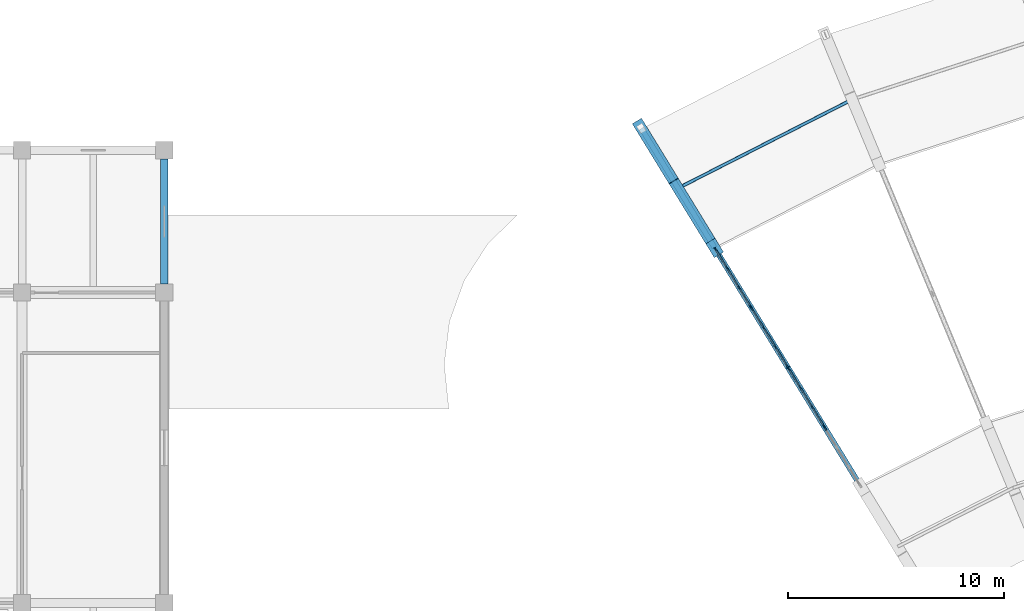
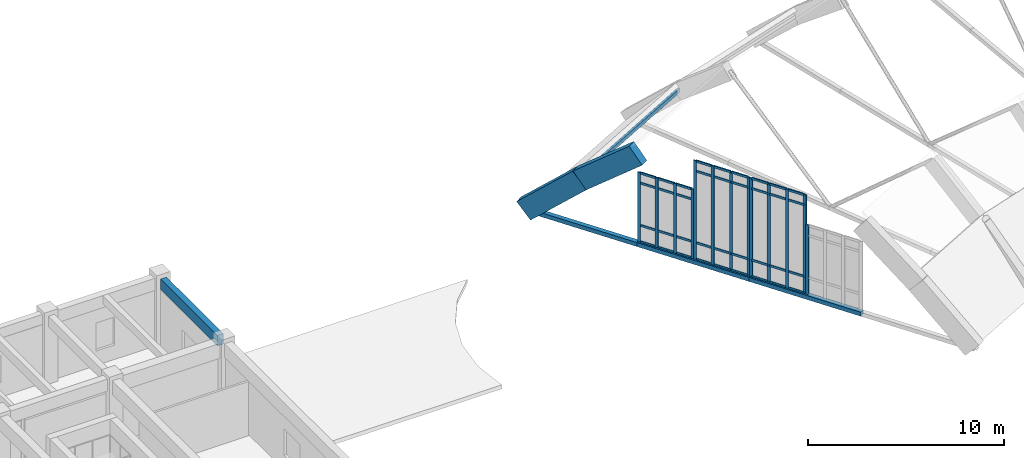
# One storey, part 8 of 34: 50 members, 6 beams, 4 elements without a shape of their own.
"""IFC4 building model written with IfcOpenShell, lengths in metres."""

from ifc_helpers import new_model, si_unit, direction, frame, origin, origin_2d, place, context, subcontext, project, spatial, rectangle, hollow_rectangle, extrude, material, layer, layer_set, material_profile, profile_set, type_object, element, aggregate, save


model = new_model("IFC4")

# Units and contexts
model_context = context("Model", 3, precision=1e-05, world=origin(), true_north=direction((0.0, 1.0)))
body_context = subcontext(model_context, "Body", "Model", "MODEL_VIEW")
ifc_project = project(units=[si_unit("LENGTHUNIT", "METRE"), si_unit("AREAUNIT", "SQUARE_METRE"), si_unit("VOLUMEUNIT", "CUBIC_METRE"), si_unit("PLANEANGLEUNIT", "RADIAN"), si_unit("MASSUNIT", "GRAM", prefix="KILO")], contexts=[model_context])

# Site, building, storey
site_placement = place(None, origin())
site = spatial("IfcSite", under=ifc_project, at=site_placement, CompositionType="ELEMENT")
building_placement = place(site_placement, origin())
building = spatial("IfcBuilding", under=site, at=building_placement, Name="Miralva Faculty of Natural Sciences", CompositionType="ELEMENT")
storey_placement = place(building_placement, frame((0.0, 0.0, 24.0)))
storey = spatial("IfcBuildingStorey", under=building, at=storey_placement, Name="L05", CompositionType="ELEMENT", Elevation=24.0)

# Beams
ifc_material_1 = material(Name="Concrete C40/50", Category="concrete")
ifc_material_profile_1 = material_profile(ifc_material_1, rectangle(XDim=0.35009765625, YDim=0.64990234375, at=origin_2d()), Name="RC 350x650")
ifc_profile_set_1 = profile_set([ifc_material_profile_1], Name="Concrete C40/50")
beam_type_1 = type_object("IfcBeamType", Name="BM-B05", PredefinedType="BEAM", material=ifc_profile_set_1)
beam_1_placement = place(storey_placement, frame((36.0, 23.800048828125, 3.905029296875), z_axis=(0.0, 1.0, 0.0), x_axis=(-1.0, 0.0, 0.0)))
element("IfcBeam", 1, at=beam_1_placement, inside=storey, type_object=beam_type_1, Name="Girder NS L05-63", PredefinedType="BEAM", context=body_context, shape_type="SweptSolid", body=[
    extrude(rectangle(XDim=0.35009765625, YDim=0.64990234375, at=origin_2d()), origin(), (0.0, 0.0, 1.0), 5.800048828125),
])
ifc_material_profile_2 = material_profile(ifc_material_1, rectangle(XDim=0.5, YDim=1.199951171875, at=origin_2d()), Name="RC 500x1200")
ifc_profile_set_2 = profile_set([ifc_material_profile_2], Name="Concrete C40/50")
beam_type_2 = type_object("IfcBeamType", Name="BM-EB01", PredefinedType="BEAM", material=ifc_profile_set_2)
beam_2_placement = place(storey_placement, frame((61.523681640625, 25.468994140625, 5.56005859375), z_axis=(-0.406454163532, 0.663300468166, -0.628353007376), x_axis=(-0.852649834543, -0.522482784074, 0.0)))
element("IfcBeam", 2, at=beam_2_placement, inside=storey, type_object=beam_type_2, Name="Visible RC shell arch edge beam EB-01 chord 7", PredefinedType="BEAM", context=body_context, shape_type="SweptSolid", body=[
    extrude(rectangle(XDim=0.5, YDim=1.199951171875, at=origin_2d()), origin(), (0.0, 0.0, 1.0), 4.177490234375),
])
beam_3_placement = place(storey_placement, frame((59.82568359375, 28.239990234375, 2.93505859375), z_axis=(-0.385383255766, 0.628914443271, -0.675238009313), x_axis=(-0.852649834543, -0.522482784074, 0.0)))
element("IfcBeam", 3, at=beam_3_placement, inside=storey, type_object=beam_type_2, Name="Visible RC shell arch edge beam EB-01 chord 8", PredefinedType="BEAM", context=body_context, shape_type="SweptSolid", body=[
    extrude(rectangle(XDim=0.5, YDim=1.199951171875, at=origin_2d()), origin(), (0.0, 0.0, 1.0), 4.406005859375),
])
ifc_material_2 = material(Name="Steel S355", Category="steel")
ifc_material_profile_3 = material_profile(ifc_material_2, hollow_rectangle(XDim=0.25, YDim=0.25, WallThickness=0.011962890625, at=origin_2d()), Name="HSS 250x250x12")
ifc_profile_set_3 = profile_set([ifc_material_profile_3], Name="Steel S355")
beam_type_3 = type_object("IfcBeamType", Name="BM-EBTIE", PredefinedType="BEAM", material=ifc_profile_set_3)
beam_4_placement = place(storey_placement, frame((68.31640625, 14.384521484375, -0.0400390625), z_axis=(-0.522493357731, 0.852643355176, 0.0), x_axis=(-0.852643355176, -0.522493357731, 0.0)))
element("IfcBeam", 4, at=beam_4_placement, inside=storey, type_object=beam_type_3, Name="Shell arch tie chord 01-2", PredefinedType="BEAM", context=body_context, shape_type="SweptSolid", body=[
    extrude(hollow_rectangle(XDim=0.25, YDim=0.25, WallThickness=0.011962890625, at=origin_2d()), origin(), (0.0, 0.0, 1.0), 6.5),
])
beam_5_placement = place(storey_placement, frame((64.920166015625, 19.9267578125, -0.0400390625), z_axis=(-0.522520662875, 0.852626622191, 0.0), x_axis=(-0.852626622191, -0.522520662875, 0.0)))
element("IfcBeam", 5, at=beam_5_placement, inside=storey, type_object=beam_type_3, Name="Shell arch tie chord 01-3", PredefinedType="BEAM", context=body_context, shape_type="SweptSolid", body=[
    extrude(hollow_rectangle(XDim=0.25, YDim=0.25, WallThickness=0.011962890625, at=origin_2d()), origin(), (0.0, 0.0, 1.0), 6.500244140625),
])
beam_6_placement = place(storey_placement, frame((61.523681640625, 25.468994140625, -0.0400390625), z_axis=(-0.522482784074, 0.852649834543, 0.0), x_axis=(-0.852649834543, -0.522482784074, 0.0)))
element("IfcBeam", 6, at=beam_6_placement, inside=storey, type_object=beam_type_3, Name="Shell arch tie chord 01-4", PredefinedType="BEAM", context=body_context, shape_type="SweptSolid", body=[
    extrude(hollow_rectangle(XDim=0.25, YDim=0.25, WallThickness=0.011962890625, at=origin_2d()), origin(), (0.0, 0.0, 1.0), 6.499755859375),
])

# Curtain wall, member
ifc_material_3 = material(Name="Laminated solar-control glass", Category="glass")
ifc_layer = layer(ifc_material_3, 0.179931640625, Name="CW-ARC-L03")
ifc_layer_set = layer_set([ifc_layer], Name="Laminated solar-control glass")
curtain_wall_type = type_object("IfcCurtainWallType", Name="CW-ARC-L03", PredefinedType="USERDEFINED", material=ifc_layer_set)
curtain_wall_1_placement = place(storey_placement, origin())
curtain_wall_1 = element("IfcCurtainWall", 7, at=curtain_wall_1_placement, inside=storey, type_object=curtain_wall_type, Name="Shell arch W clerestory curtain wall K2", ObjectType="UNITISED CURTAIN WALL", PredefinedType="USERDEFINED")
ifc_material_4 = material(Name="Anodised aluminium", Category="aluminium")
ifc_material_profile_4 = material_profile(ifc_material_4, rectangle(XDim=0.06494140625, YDim=0.179931640625, at=origin_2d()), Name="MULLION 65x180")
ifc_profile_set_4 = profile_set([ifc_material_profile_4], Name="Anodised aluminium")
member_type_1 = type_object("IfcMemberType", Name="CW-M01", PredefinedType="MULLION", material=ifc_profile_set_4)
member_1_placement = place(storey_placement, frame((66.656005859375, 17.09375, 0.090087890625), z_axis=(0.0, 0.0, 1.0), x_axis=(0.852637068257, 0.522503617054, 0.0)))
member_1 = element("IfcMember", 8, at=member_1_placement, type_object=member_type_1, Name="CW-03 mullion 1", PredefinedType="MULLION", context=body_context, shape_type="SweptSolid", body=[
    extrude(rectangle(XDim=0.06494140625, YDim=0.179931640625, at=origin_2d()), origin(), (0.0, 0.0, 1.0), 4.32958984375),
])
aggregate(curtain_wall_1, [member_1])

# Curtain wall, members
curtain_wall_2_placement = place(storey_placement, origin())
curtain_wall_2 = element("IfcCurtainWall", 9, at=curtain_wall_2_placement, inside=storey, type_object=curtain_wall_type, Name="Shell arch W clerestory curtain wall K3", ObjectType="UNITISED CURTAIN WALL", PredefinedType="USERDEFINED")
member_2_placement = place(storey_placement, frame((64.9580078125, 19.864990234375, 0.090087890625), z_axis=(0.0, 0.0, 1.0), x_axis=(0.852637068257, 0.522503617054, 0.0)))
member_2 = element("IfcMember", 10, at=member_2_placement, type_object=member_type_1, Name="CW-03 mullion 1", PredefinedType="MULLION", context=body_context, shape_type="SweptSolid", body=[
    extrude(rectangle(XDim=0.06494140625, YDim=0.179931640625, at=origin_2d()), origin(), (0.0, 0.0, 1.0), 6.150390625),
])
member_3_placement = place(storey_placement, frame((65.4931640625, 18.99169921875, 0.090087890625), z_axis=(0.0, 0.0, 1.0), x_axis=(0.852637068257, 0.522503617054, 0.0)))
member_3 = element("IfcMember", 11, at=member_3_placement, type_object=member_type_1, Name="CW-03 mullion 2", PredefinedType="MULLION", context=body_context, shape_type="SweptSolid", body=[
    extrude(rectangle(XDim=0.06494140625, YDim=0.179931640625, at=origin_2d()), origin(), (0.0, 0.0, 1.0), 6.150390625),
])
member_4_placement = place(storey_placement, frame((66.045166015625, 18.0908203125, 0.090087890625), z_axis=(0.0, 0.0, 1.0), x_axis=(0.852637068257, 0.522503617054, 0.0)))
member_4 = element("IfcMember", 12, at=member_4_placement, type_object=member_type_1, Name="CW-03 mullion 3", PredefinedType="MULLION", context=body_context, shape_type="SweptSolid", body=[
    extrude(rectangle(XDim=0.06494140625, YDim=0.179931640625, at=origin_2d()), origin(), (0.0, 0.0, 1.0), 6.150390625),
])
member_5_placement = place(storey_placement, frame((66.580322265625, 17.217529296875, 0.090087890625), z_axis=(0.0, 0.0, 1.0), x_axis=(0.852637068257, 0.522503617054, 0.0)))
member_5 = element("IfcMember", 13, at=member_5_placement, type_object=member_type_1, Name="CW-03 mullion 4", PredefinedType="MULLION", context=body_context, shape_type="SweptSolid", body=[
    extrude(rectangle(XDim=0.06494140625, YDim=0.179931640625, at=origin_2d()), origin(), (0.0, 0.0, 1.0), 6.150390625),
])

curtain_wall_3_placement = place(storey_placement, origin())
curtain_wall_3 = element("IfcCurtainWall", 14, at=curtain_wall_3_placement, inside=storey, type_object=curtain_wall_type, Name="Shell arch W clerestory curtain wall K4", ObjectType="UNITISED CURTAIN WALL", PredefinedType="USERDEFINED")
member_6_placement = place(storey_placement, frame((63.259765625, 22.635986328125, 0.090087890625), z_axis=(0.0, 0.0, 1.0), x_axis=(0.852631626815, 0.522512496459, 0.0)))
member_6 = element("IfcMember", 15, at=member_6_placement, type_object=member_type_1, Name="CW-03 mullion 1", PredefinedType="MULLION", context=body_context, shape_type="SweptSolid", body=[
    extrude(rectangle(XDim=0.06494140625, YDim=0.179931640625, at=origin_2d()), origin(), (0.0, 0.0, 1.0), 6.150390625),
])
member_7_placement = place(storey_placement, frame((63.794921875, 21.7626953125, 0.090087890625), z_axis=(0.0, 0.0, 1.0), x_axis=(0.852631626815, 0.522512496459, 0.0)))
member_7 = element("IfcMember", 16, at=member_7_placement, type_object=member_type_1, Name="CW-03 mullion 2", PredefinedType="MULLION", context=body_context, shape_type="SweptSolid", body=[
    extrude(rectangle(XDim=0.06494140625, YDim=0.179931640625, at=origin_2d()), origin(), (0.0, 0.0, 1.0), 6.150390625),
])
member_8_placement = place(storey_placement, frame((64.34716796875, 20.86181640625, 0.090087890625), z_axis=(0.0, 0.0, 1.0), x_axis=(0.852631626815, 0.522512496459, 0.0)))
member_8 = element("IfcMember", 17, at=member_8_placement, type_object=member_type_1, Name="CW-03 mullion 3", PredefinedType="MULLION", context=body_context, shape_type="SweptSolid", body=[
    extrude(rectangle(XDim=0.06494140625, YDim=0.179931640625, at=origin_2d()), origin(), (0.0, 0.0, 1.0), 6.150390625),
])
member_9_placement = place(storey_placement, frame((64.88232421875, 19.988525390625, 0.090087890625), z_axis=(0.0, 0.0, 1.0), x_axis=(0.852631626815, 0.522512496459, 0.0)))
member_9 = element("IfcMember", 18, at=member_9_placement, type_object=member_type_1, Name="CW-03 mullion 4", PredefinedType="MULLION", context=body_context, shape_type="SweptSolid", body=[
    extrude(rectangle(XDim=0.06494140625, YDim=0.179931640625, at=origin_2d()), origin(), (0.0, 0.0, 1.0), 6.150390625),
])

curtain_wall_4_placement = place(storey_placement, origin())
curtain_wall_4 = element("IfcCurtainWall", 19, at=curtain_wall_4_placement, inside=storey, type_object=curtain_wall_type, Name="Shell arch W clerestory curtain wall K5", ObjectType="UNITISED CURTAIN WALL", PredefinedType="USERDEFINED")
member_10_placement = place(storey_placement, frame((61.561767578125, 25.406982421875, 0.090087890625), z_axis=(0.0, 0.0, 1.0), x_axis=(0.85264568041, 0.522489563224, 0.0)))
member_10 = element("IfcMember", 20, at=member_10_placement, type_object=member_type_1, Name="CW-03 mullion 1", PredefinedType="MULLION", context=body_context, shape_type="SweptSolid", body=[
    extrude(rectangle(XDim=0.06494140625, YDim=0.179931640625, at=origin_2d()), origin(), (0.0, 0.0, 1.0), 4.32958984375),
])
member_11_placement = place(storey_placement, frame((62.0966796875, 24.533935546875, 0.090087890625), z_axis=(0.0, 0.0, 1.0), x_axis=(0.85264568041, 0.522489563224, 0.0)))
member_11 = element("IfcMember", 21, at=member_11_placement, type_object=member_type_1, Name="CW-03 mullion 2", PredefinedType="MULLION", context=body_context, shape_type="SweptSolid", body=[
    extrude(rectangle(XDim=0.06494140625, YDim=0.179931640625, at=origin_2d()), origin(), (0.0, 0.0, 1.0), 4.32958984375),
])
member_12_placement = place(storey_placement, frame((62.64892578125, 23.6328125, 0.090087890625), z_axis=(0.0, 0.0, 1.0), x_axis=(0.85264568041, 0.522489563224, 0.0)))
member_12 = element("IfcMember", 22, at=member_12_placement, type_object=member_type_1, Name="CW-03 mullion 3", PredefinedType="MULLION", context=body_context, shape_type="SweptSolid", body=[
    extrude(rectangle(XDim=0.06494140625, YDim=0.179931640625, at=origin_2d()), origin(), (0.0, 0.0, 1.0), 4.32958984375),
])
member_13_placement = place(storey_placement, frame((63.18408203125, 22.759521484375, 0.090087890625), z_axis=(0.0, 0.0, 1.0), x_axis=(0.85264568041, 0.522489563224, 0.0)))
member_13 = element("IfcMember", 23, at=member_13_placement, type_object=member_type_1, Name="CW-03 mullion 4", PredefinedType="MULLION", context=body_context, shape_type="SweptSolid", body=[
    extrude(rectangle(XDim=0.06494140625, YDim=0.179931640625, at=origin_2d()), origin(), (0.0, 0.0, 1.0), 4.32958984375),
])

# Member
ifc_material_profile_5 = material_profile(ifc_material_4, rectangle(XDim=0.06494140625, YDim=0.139892578125, at=origin_2d()), Name="TRANSOM 65x140")
ifc_profile_set_5 = profile_set([ifc_material_profile_5], Name="Anodised aluminium")
member_type_2 = type_object("IfcMemberType", Name="CW-T01", PredefinedType="USERDEFINED", material=ifc_profile_set_5)
member_14_placement = place(storey_placement, frame((64.974853515625, 19.837158203125, 0.12255859375), z_axis=(0.522520279799, -0.852626856954, 0.0), x_axis=(0.852626856954, 0.522520279799, 0.0)))
member_14 = element("IfcMember", 24, at=member_14_placement, type_object=member_type_2, Name="CW-03 transom 1.1", ObjectType="TRANSOM", PredefinedType="USERDEFINED", context=body_context, shape_type="SweptSolid", body=[
    extrude(rectangle(XDim=0.06494140625, YDim=0.139892578125, at=origin_2d()), origin(), (0.0, 0.0, 1.0), 0.959228515625),
])

member_15_placement = place(storey_placement, frame((64.974853515625, 19.837158203125, 1.139892578125), z_axis=(0.522520279799, -0.852626856954, 0.0), x_axis=(0.852626856954, 0.522520279799, 0.0)))
member_15 = element("IfcMember", 25, at=member_15_placement, type_object=member_type_2, Name="CW-03 transom 1.2", ObjectType="TRANSOM", PredefinedType="USERDEFINED", context=body_context, shape_type="SweptSolid", body=[
    extrude(rectangle(XDim=0.06494140625, YDim=0.139892578125, at=origin_2d()), origin(), (0.0, 0.0, 1.0), 0.959228515625),
])

member_16_placement = place(storey_placement, frame((64.974853515625, 19.837158203125, 5.590576171875), z_axis=(0.522520279799, -0.852626856954, 0.0), x_axis=(0.852626856954, 0.522520279799, 0.0)))
member_16 = element("IfcMember", 26, at=member_16_placement, type_object=member_type_2, Name="CW-03 transom 1.3", ObjectType="TRANSOM", PredefinedType="USERDEFINED", context=body_context, shape_type="SweptSolid", body=[
    extrude(rectangle(XDim=0.06494140625, YDim=0.139892578125, at=origin_2d()), origin(), (0.0, 0.0, 1.0), 0.959228515625),
])

member_17_placement = place(storey_placement, frame((64.974853515625, 19.837158203125, 6.2080078125), z_axis=(0.522520279799, -0.852626856954, 0.0), x_axis=(0.852626856954, 0.522520279799, 0.0)))
member_17 = element("IfcMember", 27, at=member_17_placement, type_object=member_type_2, Name="CW-03 transom 1.4", ObjectType="TRANSOM", PredefinedType="USERDEFINED", context=body_context, shape_type="SweptSolid", body=[
    extrude(rectangle(XDim=0.06494140625, YDim=0.139892578125, at=origin_2d()), origin(), (0.0, 0.0, 1.0), 0.959228515625),
])

member_18_placement = place(storey_placement, frame((65.510009765625, 18.9638671875, 0.12255859375), z_axis=(0.522654421441, -0.852544635634, 0.0), x_axis=(0.852544635634, 0.522654421441, 0.0)))
member_18 = element("IfcMember", 28, at=member_18_placement, type_object=member_type_2, Name="CW-03 transom 2.1", ObjectType="TRANSOM", PredefinedType="USERDEFINED", context=body_context, shape_type="SweptSolid", body=[
    extrude(rectangle(XDim=0.06494140625, YDim=0.139892578125, at=origin_2d()), origin(), (0.0, 0.0, 1.0), 0.99169921875),
])

member_19_placement = place(storey_placement, frame((65.510009765625, 18.9638671875, 1.139892578125), z_axis=(0.522654421441, -0.852544635634, 0.0), x_axis=(0.852544635634, 0.522654421441, 0.0)))
member_19 = element("IfcMember", 29, at=member_19_placement, type_object=member_type_2, Name="CW-03 transom 2.2", ObjectType="TRANSOM", PredefinedType="USERDEFINED", context=body_context, shape_type="SweptSolid", body=[
    extrude(rectangle(XDim=0.06494140625, YDim=0.139892578125, at=origin_2d()), origin(), (0.0, 0.0, 1.0), 0.99169921875),
])

member_20_placement = place(storey_placement, frame((65.510009765625, 18.9638671875, 5.590576171875), z_axis=(0.522654421441, -0.852544635634, 0.0), x_axis=(0.852544635634, 0.522654421441, 0.0)))
member_20 = element("IfcMember", 30, at=member_20_placement, type_object=member_type_2, Name="CW-03 transom 2.3", ObjectType="TRANSOM", PredefinedType="USERDEFINED", context=body_context, shape_type="SweptSolid", body=[
    extrude(rectangle(XDim=0.06494140625, YDim=0.139892578125, at=origin_2d()), origin(), (0.0, 0.0, 1.0), 0.99169921875),
])

member_21_placement = place(storey_placement, frame((65.510009765625, 18.9638671875, 6.2080078125), z_axis=(0.522654421441, -0.852544635634, 0.0), x_axis=(0.852544635634, 0.522654421441, 0.0)))
member_21 = element("IfcMember", 31, at=member_21_placement, type_object=member_type_2, Name="CW-03 transom 2.4", ObjectType="TRANSOM", PredefinedType="USERDEFINED", context=body_context, shape_type="SweptSolid", body=[
    extrude(rectangle(XDim=0.06494140625, YDim=0.139892578125, at=origin_2d()), origin(), (0.0, 0.0, 1.0), 0.99169921875),
])

member_22_placement = place(storey_placement, frame((66.062255859375, 18.06298828125, 0.12255859375), z_axis=(0.522335217118, -0.852740242371, 0.0), x_axis=(0.852740242371, 0.522335217118, 0.0)))
member_22 = element("IfcMember", 32, at=member_22_placement, type_object=member_type_2, Name="CW-03 transom 3.1", ObjectType="TRANSOM", PredefinedType="USERDEFINED", context=body_context, shape_type="SweptSolid", body=[
    extrude(rectangle(XDim=0.06494140625, YDim=0.139892578125, at=origin_2d()), origin(), (0.0, 0.0, 1.0), 0.959228515625),
])

member_23_placement = place(storey_placement, frame((66.062255859375, 18.06298828125, 1.139892578125), z_axis=(0.522335217118, -0.852740242371, 0.0), x_axis=(0.852740242371, 0.522335217118, 0.0)))
member_23 = element("IfcMember", 33, at=member_23_placement, type_object=member_type_2, Name="CW-03 transom 3.2", ObjectType="TRANSOM", PredefinedType="USERDEFINED", context=body_context, shape_type="SweptSolid", body=[
    extrude(rectangle(XDim=0.06494140625, YDim=0.139892578125, at=origin_2d()), origin(), (0.0, 0.0, 1.0), 0.959228515625),
])

member_24_placement = place(storey_placement, frame((66.062255859375, 18.06298828125, 5.590576171875), z_axis=(0.522335217118, -0.852740242371, 0.0), x_axis=(0.852740242371, 0.522335217118, 0.0)))
member_24 = element("IfcMember", 34, at=member_24_placement, type_object=member_type_2, Name="CW-03 transom 3.3", ObjectType="TRANSOM", PredefinedType="USERDEFINED", context=body_context, shape_type="SweptSolid", body=[
    extrude(rectangle(XDim=0.06494140625, YDim=0.139892578125, at=origin_2d()), origin(), (0.0, 0.0, 1.0), 0.959228515625),
])

member_25_placement = place(storey_placement, frame((66.062255859375, 18.06298828125, 6.2080078125), z_axis=(0.522335217118, -0.852740242371, 0.0), x_axis=(0.852740242371, 0.522335217118, 0.0)))
member_25 = element("IfcMember", 35, at=member_25_placement, type_object=member_type_2, Name="CW-03 transom 3.4", ObjectType="TRANSOM", PredefinedType="USERDEFINED", context=body_context, shape_type="SweptSolid", body=[
    extrude(rectangle(XDim=0.06494140625, YDim=0.139892578125, at=origin_2d()), origin(), (0.0, 0.0, 1.0), 0.959228515625),
])

aggregate(curtain_wall_2, [member_2, member_3, member_4, member_5, member_14, member_15, member_16, member_17, member_18, member_19, member_20, member_21, member_22, member_23, member_24, member_25])

member_26_placement = place(storey_placement, frame((63.27685546875, 22.6083984375, 0.12255859375), z_axis=(0.522335217118, -0.852740242371, 0.0), x_axis=(0.852740242371, 0.522335217118, 0.0)))
member_26 = element("IfcMember", 36, at=member_26_placement, type_object=member_type_2, Name="CW-03 transom 1.1", ObjectType="TRANSOM", PredefinedType="USERDEFINED", context=body_context, shape_type="SweptSolid", body=[
    extrude(rectangle(XDim=0.06494140625, YDim=0.139892578125, at=origin_2d()), origin(), (0.0, 0.0, 1.0), 0.959228515625),
])

member_27_placement = place(storey_placement, frame((63.27685546875, 22.6083984375, 1.139892578125), z_axis=(0.522335217118, -0.852740242371, 0.0), x_axis=(0.852740242371, 0.522335217118, 0.0)))
member_27 = element("IfcMember", 37, at=member_27_placement, type_object=member_type_2, Name="CW-03 transom 1.2", ObjectType="TRANSOM", PredefinedType="USERDEFINED", context=body_context, shape_type="SweptSolid", body=[
    extrude(rectangle(XDim=0.06494140625, YDim=0.139892578125, at=origin_2d()), origin(), (0.0, 0.0, 1.0), 0.959228515625),
])

member_28_placement = place(storey_placement, frame((63.27685546875, 22.6083984375, 5.590576171875), z_axis=(0.522335217118, -0.852740242371, 0.0), x_axis=(0.852740242371, 0.522335217118, 0.0)))
member_28 = element("IfcMember", 38, at=member_28_placement, type_object=member_type_2, Name="CW-03 transom 1.3", ObjectType="TRANSOM", PredefinedType="USERDEFINED", context=body_context, shape_type="SweptSolid", body=[
    extrude(rectangle(XDim=0.06494140625, YDim=0.139892578125, at=origin_2d()), origin(), (0.0, 0.0, 1.0), 0.959228515625),
])

member_29_placement = place(storey_placement, frame((63.27685546875, 22.6083984375, 6.2080078125), z_axis=(0.522335217118, -0.852740242371, 0.0), x_axis=(0.852740242371, 0.522335217118, 0.0)))
member_29 = element("IfcMember", 39, at=member_29_placement, type_object=member_type_2, Name="CW-03 transom 1.4", ObjectType="TRANSOM", PredefinedType="USERDEFINED", context=body_context, shape_type="SweptSolid", body=[
    extrude(rectangle(XDim=0.06494140625, YDim=0.139892578125, at=origin_2d()), origin(), (0.0, 0.0, 1.0), 0.959228515625),
])

member_30_placement = place(storey_placement, frame((63.81201171875, 21.735107421875, 0.12255859375), z_axis=(0.522365781056, -0.852721520065, 0.0), x_axis=(0.852721520065, 0.522365781056, 0.0)))
member_30 = element("IfcMember", 40, at=member_30_placement, type_object=member_type_2, Name="CW-03 transom 2.1", ObjectType="TRANSOM", PredefinedType="USERDEFINED", context=body_context, shape_type="SweptSolid", body=[
    extrude(rectangle(XDim=0.06494140625, YDim=0.139892578125, at=origin_2d()), origin(), (0.0, 0.0, 1.0), 0.99169921875),
])

member_31_placement = place(storey_placement, frame((63.81201171875, 21.735107421875, 1.139892578125), z_axis=(0.522365781056, -0.852721520065, 0.0), x_axis=(0.852721520065, 0.522365781056, 0.0)))
member_31 = element("IfcMember", 41, at=member_31_placement, type_object=member_type_2, Name="CW-03 transom 2.2", ObjectType="TRANSOM", PredefinedType="USERDEFINED", context=body_context, shape_type="SweptSolid", body=[
    extrude(rectangle(XDim=0.06494140625, YDim=0.139892578125, at=origin_2d()), origin(), (0.0, 0.0, 1.0), 0.99169921875),
])

member_32_placement = place(storey_placement, frame((63.81201171875, 21.735107421875, 5.590576171875), z_axis=(0.522365781056, -0.852721520065, 0.0), x_axis=(0.852721520065, 0.522365781056, 0.0)))
member_32 = element("IfcMember", 42, at=member_32_placement, type_object=member_type_2, Name="CW-03 transom 2.3", ObjectType="TRANSOM", PredefinedType="USERDEFINED", context=body_context, shape_type="SweptSolid", body=[
    extrude(rectangle(XDim=0.06494140625, YDim=0.139892578125, at=origin_2d()), origin(), (0.0, 0.0, 1.0), 0.99169921875),
])

member_33_placement = place(storey_placement, frame((63.81201171875, 21.735107421875, 6.2080078125), z_axis=(0.522365781056, -0.852721520065, 0.0), x_axis=(0.852721520065, 0.522365781056, 0.0)))
member_33 = element("IfcMember", 43, at=member_33_placement, type_object=member_type_2, Name="CW-03 transom 2.4", ObjectType="TRANSOM", PredefinedType="USERDEFINED", context=body_context, shape_type="SweptSolid", body=[
    extrude(rectangle(XDim=0.06494140625, YDim=0.139892578125, at=origin_2d()), origin(), (0.0, 0.0, 1.0), 0.99169921875),
])

member_34_placement = place(storey_placement, frame((64.364013671875, 20.833984375, 0.12255859375), z_axis=(0.522520279799, -0.852626856954, 0.0), x_axis=(0.852626856954, 0.522520279799, 0.0)))
member_34 = element("IfcMember", 44, at=member_34_placement, type_object=member_type_2, Name="CW-03 transom 3.1", ObjectType="TRANSOM", PredefinedType="USERDEFINED", context=body_context, shape_type="SweptSolid", body=[
    extrude(rectangle(XDim=0.06494140625, YDim=0.139892578125, at=origin_2d()), origin(), (0.0, 0.0, 1.0), 0.959228515625),
])

member_35_placement = place(storey_placement, frame((64.364013671875, 20.833984375, 1.139892578125), z_axis=(0.522520279799, -0.852626856954, 0.0), x_axis=(0.852626856954, 0.522520279799, 0.0)))
member_35 = element("IfcMember", 45, at=member_35_placement, type_object=member_type_2, Name="CW-03 transom 3.2", ObjectType="TRANSOM", PredefinedType="USERDEFINED", context=body_context, shape_type="SweptSolid", body=[
    extrude(rectangle(XDim=0.06494140625, YDim=0.139892578125, at=origin_2d()), origin(), (0.0, 0.0, 1.0), 0.959228515625),
])

member_36_placement = place(storey_placement, frame((64.364013671875, 20.833984375, 5.590576171875), z_axis=(0.522520279799, -0.852626856954, 0.0), x_axis=(0.852626856954, 0.522520279799, 0.0)))
member_36 = element("IfcMember", 46, at=member_36_placement, type_object=member_type_2, Name="CW-03 transom 3.3", ObjectType="TRANSOM", PredefinedType="USERDEFINED", context=body_context, shape_type="SweptSolid", body=[
    extrude(rectangle(XDim=0.06494140625, YDim=0.139892578125, at=origin_2d()), origin(), (0.0, 0.0, 1.0), 0.959228515625),
])

member_37_placement = place(storey_placement, frame((64.364013671875, 20.833984375, 6.2080078125), z_axis=(0.522520279799, -0.852626856954, 0.0), x_axis=(0.852626856954, 0.522520279799, 0.0)))
member_37 = element("IfcMember", 47, at=member_37_placement, type_object=member_type_2, Name="CW-03 transom 3.4", ObjectType="TRANSOM", PredefinedType="USERDEFINED", context=body_context, shape_type="SweptSolid", body=[
    extrude(rectangle(XDim=0.06494140625, YDim=0.139892578125, at=origin_2d()), origin(), (0.0, 0.0, 1.0), 0.959228515625),
])

aggregate(curtain_wall_3, [member_6, member_7, member_8, member_9, member_26, member_27, member_28, member_29, member_30, member_31, member_32, member_33, member_34, member_35, member_36, member_37])

member_38_placement = place(storey_placement, frame((61.57861328125, 25.37939453125, 0.12255859375), z_axis=(0.522520279799, -0.852626856954, 0.0), x_axis=(0.852626856954, 0.522520279799, 0.0)))
member_38 = element("IfcMember", 48, at=member_38_placement, type_object=member_type_2, Name="CW-03 transom 1.1", ObjectType="TRANSOM", PredefinedType="USERDEFINED", context=body_context, shape_type="SweptSolid", body=[
    extrude(rectangle(XDim=0.06494140625, YDim=0.139892578125, at=origin_2d()), origin(), (0.0, 0.0, 1.0), 0.959228515625),
])

member_39_placement = place(storey_placement, frame((61.57861328125, 25.37939453125, 1.139892578125), z_axis=(0.522520279799, -0.852626856954, 0.0), x_axis=(0.852626856954, 0.522520279799, 0.0)))
member_39 = element("IfcMember", 49, at=member_39_placement, type_object=member_type_2, Name="CW-03 transom 1.2", ObjectType="TRANSOM", PredefinedType="USERDEFINED", context=body_context, shape_type="SweptSolid", body=[
    extrude(rectangle(XDim=0.06494140625, YDim=0.139892578125, at=origin_2d()), origin(), (0.0, 0.0, 1.0), 0.959228515625),
])

member_40_placement = place(storey_placement, frame((61.57861328125, 25.37939453125, 3.769775390625), z_axis=(0.522520279799, -0.852626856954, 0.0), x_axis=(0.852626856954, 0.522520279799, 0.0)))
member_40 = element("IfcMember", 50, at=member_40_placement, type_object=member_type_2, Name="CW-03 transom 1.3", ObjectType="TRANSOM", PredefinedType="USERDEFINED", context=body_context, shape_type="SweptSolid", body=[
    extrude(rectangle(XDim=0.06494140625, YDim=0.139892578125, at=origin_2d()), origin(), (0.0, 0.0, 1.0), 0.959228515625),
])

member_41_placement = place(storey_placement, frame((61.57861328125, 25.37939453125, 4.38720703125), z_axis=(0.522520279799, -0.852626856954, 0.0), x_axis=(0.852626856954, 0.522520279799, 0.0)))
member_41 = element("IfcMember", 51, at=member_41_placement, type_object=member_type_2, Name="CW-03 transom 1.4", ObjectType="TRANSOM", PredefinedType="USERDEFINED", context=body_context, shape_type="SweptSolid", body=[
    extrude(rectangle(XDim=0.06494140625, YDim=0.139892578125, at=origin_2d()), origin(), (0.0, 0.0, 1.0), 0.959228515625),
])

member_42_placement = place(storey_placement, frame((62.11376953125, 24.506103515625, 0.12255859375), z_axis=(0.522475450425, -0.852654328379, 0.0), x_axis=(0.852654328379, 0.522475450425, 0.0)))
member_42 = element("IfcMember", 52, at=member_42_placement, type_object=member_type_2, Name="CW-03 transom 2.1", ObjectType="TRANSOM", PredefinedType="USERDEFINED", context=body_context, shape_type="SweptSolid", body=[
    extrude(rectangle(XDim=0.06494140625, YDim=0.139892578125, at=origin_2d()), origin(), (0.0, 0.0, 1.0), 0.991455078125),
])

member_43_placement = place(storey_placement, frame((62.11376953125, 24.506103515625, 1.139892578125), z_axis=(0.522475450425, -0.852654328379, 0.0), x_axis=(0.852654328379, 0.522475450425, 0.0)))
member_43 = element("IfcMember", 53, at=member_43_placement, type_object=member_type_2, Name="CW-03 transom 2.2", ObjectType="TRANSOM", PredefinedType="USERDEFINED", context=body_context, shape_type="SweptSolid", body=[
    extrude(rectangle(XDim=0.06494140625, YDim=0.139892578125, at=origin_2d()), origin(), (0.0, 0.0, 1.0), 0.991455078125),
])

member_44_placement = place(storey_placement, frame((62.11376953125, 24.506103515625, 3.769775390625), z_axis=(0.522475450425, -0.852654328379, 0.0), x_axis=(0.852654328379, 0.522475450425, 0.0)))
member_44 = element("IfcMember", 54, at=member_44_placement, type_object=member_type_2, Name="CW-03 transom 2.3", ObjectType="TRANSOM", PredefinedType="USERDEFINED", context=body_context, shape_type="SweptSolid", body=[
    extrude(rectangle(XDim=0.06494140625, YDim=0.139892578125, at=origin_2d()), origin(), (0.0, 0.0, 1.0), 0.991455078125),
])

member_45_placement = place(storey_placement, frame((62.11376953125, 24.506103515625, 4.38720703125), z_axis=(0.522475450425, -0.852654328379, 0.0), x_axis=(0.852654328379, 0.522475450425, 0.0)))
member_45 = element("IfcMember", 55, at=member_45_placement, type_object=member_type_2, Name="CW-03 transom 2.4", ObjectType="TRANSOM", PredefinedType="USERDEFINED", context=body_context, shape_type="SweptSolid", body=[
    extrude(rectangle(XDim=0.06494140625, YDim=0.139892578125, at=origin_2d()), origin(), (0.0, 0.0, 1.0), 0.991455078125),
])

member_46_placement = place(storey_placement, frame((62.665771484375, 23.605224609375, 0.12255859375), z_axis=(0.522520279799, -0.852626856954, 0.0), x_axis=(0.852626856954, 0.522520279799, 0.0)))
member_46 = element("IfcMember", 56, at=member_46_placement, type_object=member_type_2, Name="CW-03 transom 3.1", ObjectType="TRANSOM", PredefinedType="USERDEFINED", context=body_context, shape_type="SweptSolid", body=[
    extrude(rectangle(XDim=0.06494140625, YDim=0.139892578125, at=origin_2d()), origin(), (0.0, 0.0, 1.0), 0.959228515625),
])

member_47_placement = place(storey_placement, frame((62.665771484375, 23.605224609375, 1.139892578125), z_axis=(0.522520279799, -0.852626856954, 0.0), x_axis=(0.852626856954, 0.522520279799, 0.0)))
member_47 = element("IfcMember", 57, at=member_47_placement, type_object=member_type_2, Name="CW-03 transom 3.2", ObjectType="TRANSOM", PredefinedType="USERDEFINED", context=body_context, shape_type="SweptSolid", body=[
    extrude(rectangle(XDim=0.06494140625, YDim=0.139892578125, at=origin_2d()), origin(), (0.0, 0.0, 1.0), 0.959228515625),
])

member_48_placement = place(storey_placement, frame((62.665771484375, 23.605224609375, 3.769775390625), z_axis=(0.522520279799, -0.852626856954, 0.0), x_axis=(0.852626856954, 0.522520279799, 0.0)))
member_48 = element("IfcMember", 58, at=member_48_placement, type_object=member_type_2, Name="CW-03 transom 3.3", ObjectType="TRANSOM", PredefinedType="USERDEFINED", context=body_context, shape_type="SweptSolid", body=[
    extrude(rectangle(XDim=0.06494140625, YDim=0.139892578125, at=origin_2d()), origin(), (0.0, 0.0, 1.0), 0.959228515625),
])

member_49_placement = place(storey_placement, frame((62.665771484375, 23.605224609375, 4.38720703125), z_axis=(0.522520279799, -0.852626856954, 0.0), x_axis=(0.852626856954, 0.522520279799, 0.0)))
member_49 = element("IfcMember", 59, at=member_49_placement, type_object=member_type_2, Name="CW-03 transom 3.4", ObjectType="TRANSOM", PredefinedType="USERDEFINED", context=body_context, shape_type="SweptSolid", body=[
    extrude(rectangle(XDim=0.06494140625, YDim=0.139892578125, at=origin_2d()), origin(), (0.0, 0.0, 1.0), 0.959228515625),
])

aggregate(curtain_wall_4, [member_10, member_11, member_12, member_13, member_38, member_39, member_40, member_41, member_42, member_43, member_44, member_45, member_46, member_47, member_48, member_49])

ifc_material_profile_6 = material_profile(ifc_material_2, hollow_rectangle(XDim=0.14990234375, YDim=0.25, WallThickness=0.010009765625, InnerFilletRadius=0.010009765625, OuterFilletRadius=0.02001953125, at=origin_2d()), Name="HSS 250x150x10")
ifc_profile_set_6 = profile_set([ifc_material_profile_6], Name="Steel S355")
member_type_3 = type_object("IfcMemberType", Name="MEM-PU01", PredefinedType="PURLIN", material=ifc_profile_set_6)
member_50_placement = place(storey_placement, frame((59.82568359375, 28.239990234375, 3.094970703125), z_axis=(0.891006803894, 0.453989950787, 0.0), x_axis=(-0.453989950787, 0.891006803894, 0.0)))
element("IfcMember", 60, at=member_50_placement, inside=storey, type_object=member_type_3, Name="Shell longitudinal purlin B1-K7", PredefinedType="PURLIN", context=body_context, shape_type="SweptSolid", body=[
    extrude(hollow_rectangle(XDim=0.14990234375, YDim=0.25, WallThickness=0.010009765625, InnerFilletRadius=0.010009765625, OuterFilletRadius=0.02001953125, at=origin_2d()), origin(), (0.0, 0.0, 1.0), 9.06201171875),
])

save(model, "model.ifc")
